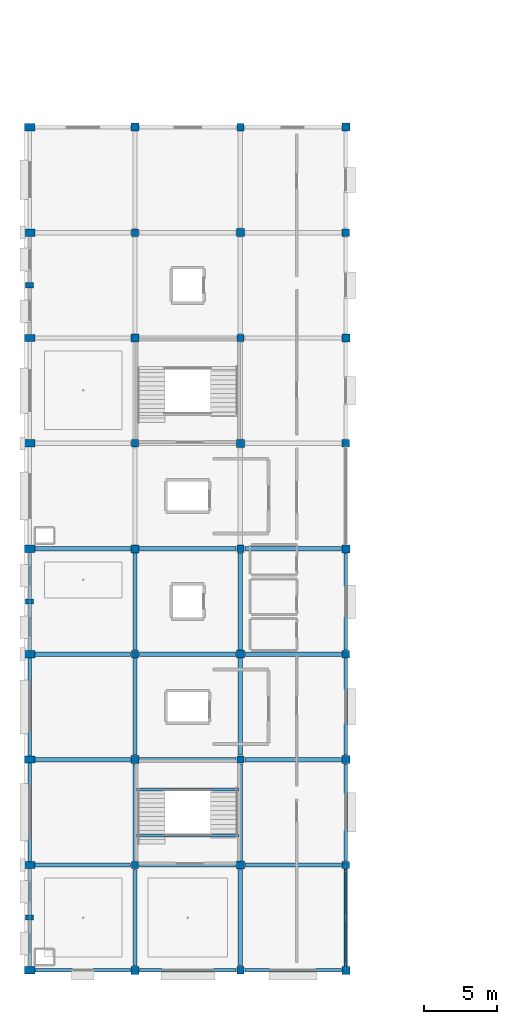
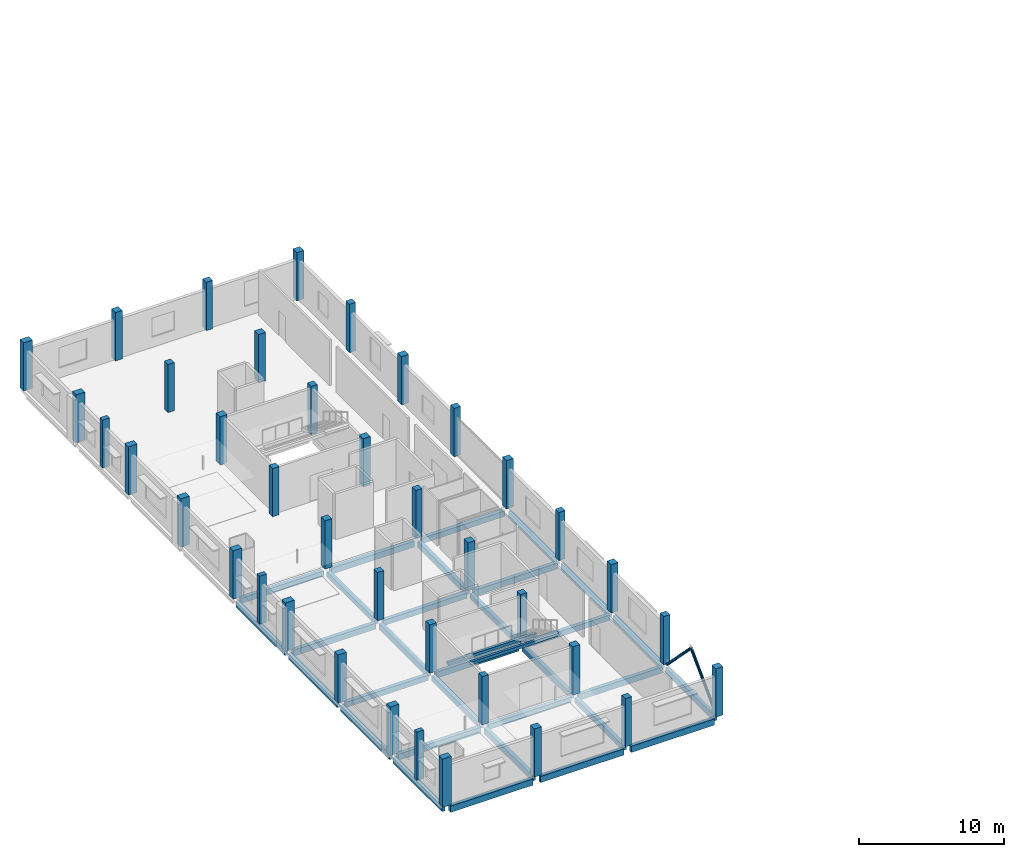
# One storey, part 1 of 15: 39 columns, 33 beams, 2 members.
"""IFC4 building model written with IfcOpenShell, lengths in metres."""

from ifc_helpers import new_model, si_unit, direction, frame, origin, origin_2d, place, context, subcontext, project, spatial, rectangle, hollow_circle, extrude, material, material_profile, profile_set, type_object, element, save


model = new_model("IFC4")

# Units and contexts
model_context = context("Model", 3, precision=1e-05, world=origin(), true_north=direction((0.0, 1.0)))
body_context = subcontext(model_context, "Body", "Model", "MODEL_VIEW")
ifc_project = project(units=[si_unit("LENGTHUNIT", "METRE"), si_unit("AREAUNIT", "SQUARE_METRE"), si_unit("VOLUMEUNIT", "CUBIC_METRE"), si_unit("PLANEANGLEUNIT", "RADIAN"), si_unit("MASSUNIT", "GRAM", prefix="KILO")], contexts=[model_context])

# Site, building, storey
site_placement = place(None, origin())
site = spatial("IfcSite", under=ifc_project, at=site_placement, CompositionType="ELEMENT")
building_placement = place(site_placement, origin())
building = spatial("IfcBuilding", under=site, at=building_placement, Name="Kangsadwip Square Police Headquarters", CompositionType="ELEMENT")
storey_placement = place(building_placement, frame((0.0, 0.0, 29.699951171875)))
storey = spatial("IfcBuildingStorey", under=building, at=storey_placement, Name="L07", CompositionType="ELEMENT", Elevation=29.699951171875)

# Columns
ifc_material_1 = material(Name="Concrete M35 (35 MPa)", Category="concrete")
ifc_material_profile_1 = material_profile(ifc_material_1, rectangle(XDim=0.5, YDim=0.5, at=origin_2d()), Name="RC COL 500X500")
ifc_profile_set_1 = profile_set([ifc_material_profile_1], Name="Concrete M35 (35 MPa)")
column_type_1 = type_object("IfcColumnType", Name="RcCol500x500", PredefinedType="COLUMN", material=ifc_profile_set_1)
for number, where, z_axis, x_axis, name in (
    (1, (7.199951171875, 43.199951171875, 0.0), (0.0, 0.0, 1.0), (1.0, 0.0, 0.0), "Column COL-L07-01-06"),
    (2, (7.199951171875, 57.60009765625, 0.0), (0.0, 0.0, 1.0), (1.0, 0.0, 0.0), "Column COL-L07-01-08"),
    (3, (7.199951171875, 72.0, 0.0), (0.0, 0.0, 1.0), (1.0, 0.0, 0.0), "Column COL-L07-01-10"),
    (4, (7.199951171875, 86.39990234375, 0.0), (0.0, 0.0, 1.0), (1.0, 0.0, 0.0), "Column COL-L07-01-12"),
    (5, (14.39990234375, 36.0, 0.0), (0.0, 0.0, 1.0), (1.0, 0.0, 0.0), "Column COL-L07-02-05"),
    (6, (14.39990234375, 50.39990234375, 0.0), (0.0, 0.0, 1.0), (1.0, 0.0, 0.0), "Column COL-L07-02-07"),
    (7, (14.39990234375, 64.800048828125, 0.0), (0.0, 0.0, 1.0), (1.0, 0.0, 0.0), "Column COL-L07-02-09"),
    (8, (14.39990234375, 79.199951171875, 0.0), (0.0, 0.0, 1.0), (1.0, 0.0, 0.0), "Column COL-L07-02-11"),
    (9, (14.39990234375, 93.60009765625, 0.0), (0.0, 0.0, 1.0), (1.0, 0.0, 0.0), "Column COL-L07-02-13"),
    (10, (21.60009765625, 43.199951171875, 0.0), (0.0, 0.0, 1.0), (1.0, 0.0, 0.0), "Column COL-L07-03-06"),
    (11, (21.60009765625, 57.60009765625, 0.0), (0.0, 0.0, 1.0), (1.0, 0.0, 0.0), "Column COL-L07-03-08"),
    (12, (21.60009765625, 72.0, 0.0), (0.0, 0.0, 1.0), (1.0, 0.0, 0.0), "Column COL-L07-03-10"),
    (13, (21.60009765625, 86.39990234375, 0.0), (0.0, 0.0, 1.0), (1.0, 0.0, 0.0), "Column COL-L07-03-12"),
):
    element("IfcColumn", number, at=place(storey_placement, frame(where, z_axis=z_axis, x_axis=x_axis)), inside=storey, type_object=column_type_1, Name=name, PredefinedType="COLUMN", context=body_context, shape_type="SweptSolid", body=[
        extrude(rectangle(XDim=0.5, YDim=0.5, at=origin_2d()), origin(), (0.0, 0.0, 1.0), 4.050048828125),
    ])
ifc_material_2 = material(Name="Concrete M35 (35 MPa)", Category="concrete")
ifc_material_profile_2 = material_profile(ifc_material_2, rectangle(XDim=0.550048828125, YDim=0.550048828125, at=origin_2d()), Name="RC COL 550X550")
ifc_profile_set_2 = profile_set([ifc_material_profile_2], Name="Concrete M35 (35 MPa)")
column_type_2 = type_object("IfcColumnType", Name="RcCol550x550", PredefinedType="COLUMN", material=ifc_profile_set_2)
for number, where, z_axis, x_axis, name in (
    (14, (7.199951171875, 36.0, 0.0), (0.0, 0.0, 1.0), (1.0, 0.0, 0.0), "Column COL-L07-01-05"),
    (15, (7.199951171875, 50.39990234375, 0.0), (0.0, 0.0, 1.0), (1.0, 0.0, 0.0), "Column COL-L07-01-07"),
    (16, (7.199951171875, 64.800048828125, 0.0), (0.0, 0.0, 1.0), (1.0, 0.0, 0.0), "Column COL-L07-01-09"),
    (17, (7.199951171875, 79.199951171875, 0.0), (0.0, 0.0, 1.0), (1.0, 0.0, 0.0), "Column COL-L07-01-11"),
    (18, (7.199951171875, 93.60009765625, 0.0), (0.0, 0.0, 1.0), (1.0, 0.0, 0.0), "Column COL-L07-01-13"),
    (19, (14.39990234375, 43.199951171875, 0.0), (0.0, 0.0, 1.0), (1.0, 0.0, 0.0), "Column COL-L07-02-06"),
    (20, (14.39990234375, 57.60009765625, 0.0), (0.0, 0.0, 1.0), (1.0, 0.0, 0.0), "Column COL-L07-02-08"),
    (21, (14.39990234375, 72.0, 0.0), (0.0, 0.0, 1.0), (1.0, 0.0, 0.0), "Column COL-L07-02-10"),
    (22, (14.39990234375, 86.39990234375, 0.0), (0.0, 0.0, 1.0), (1.0, 0.0, 0.0), "Column COL-L07-02-12"),
    (23, (21.60009765625, 36.0, 0.0), (0.0, 0.0, 1.0), (1.0, 0.0, 0.0), "Column COL-L07-03-05"),
    (24, (21.60009765625, 50.39990234375, 0.0), (0.0, 0.0, 1.0), (1.0, 0.0, 0.0), "Column COL-L07-03-07"),
    (25, (21.60009765625, 64.800048828125, 0.0), (0.0, 0.0, 1.0), (1.0, 0.0, 0.0), "Column COL-L07-03-09"),
    (26, (21.60009765625, 79.199951171875, 0.0), (0.0, 0.0, 1.0), (1.0, 0.0, 0.0), "Column COL-L07-03-11"),
    (27, (21.60009765625, 93.60009765625, 0.0), (0.0, 0.0, 1.0), (1.0, 0.0, 0.0), "Column COL-L07-03-13"),
):
    element("IfcColumn", number, at=place(storey_placement, frame(where, z_axis=z_axis, x_axis=x_axis)), inside=storey, type_object=column_type_2, Name=name, PredefinedType="COLUMN", context=body_context, shape_type="SweptSolid", body=[
        extrude(rectangle(XDim=0.550048828125, YDim=0.550048828125, at=origin_2d()), origin(), (0.0, 0.0, 1.0), 4.050048828125),
    ])
ifc_material_3 = material(Name="Concrete M35 (35 MPa)", Category="concrete")
ifc_material_profile_3 = material_profile(ifc_material_3, rectangle(XDim=0.5, YDim=0.699951171875, at=origin_2d()), Name="RC COL 700X500")
ifc_profile_set_3 = profile_set([ifc_material_profile_3], Name="Concrete M35 (35 MPa)")
column_type_3 = type_object("IfcColumnType", Name="RcCol700x500", PredefinedType="COLUMN", material=ifc_profile_set_3)
for number, where, z_axis, x_axis, name in (
    (28, (0.0, 36.0, 0.0), (0.0, 0.0, 1.0), (0.0, 1.0, 0.0), "Column COL-L07-00-05"),
    (29, (0.0, 43.199951171875, 0.0), (0.0, 0.0, 1.0), (0.0, 1.0, 0.0), "Column COL-L07-00-06"),
    (30, (0.0, 50.39990234375, 0.0), (0.0, 0.0, 1.0), (0.0, 1.0, 0.0), "Column COL-L07-00-07"),
    (31, (0.0, 57.60009765625, 0.0), (0.0, 0.0, 1.0), (0.0, 1.0, 0.0), "Column COL-L07-00-08"),
    (32, (0.0, 64.800048828125, 0.0), (0.0, 0.0, 1.0), (0.0, 1.0, 0.0), "Column COL-L07-00-09"),
    (33, (0.0, 72.0, 0.0), (0.0, 0.0, 1.0), (0.0, 1.0, 0.0), "Column COL-L07-00-10"),
    (34, (0.0, 79.199951171875, 0.0), (0.0, 0.0, 1.0), (0.0, 1.0, 0.0), "Column COL-L07-00-11"),
    (35, (0.0, 86.39990234375, 0.0), (0.0, 0.0, 1.0), (0.0, 1.0, 0.0), "Column COL-L07-00-12"),
    (36, (0.0, 93.60009765625, 0.0), (0.0, 0.0, 1.0), (0.0, 1.0, 0.0), "Column COL-L07-00-13"),
):
    element("IfcColumn", number, at=place(storey_placement, frame(where, z_axis=z_axis, x_axis=x_axis)), inside=storey, type_object=column_type_3, Name=name, PredefinedType="COLUMN", context=body_context, shape_type="SweptSolid", body=[
        extrude(rectangle(XDim=0.5, YDim=0.699951171875, at=origin_2d()), origin(), (0.0, 0.0, 1.0), 4.050048828125),
    ])
ifc_material_4 = material(Name="Concrete M35 (35 MPa)", Category="concrete")
ifc_material_profile_4 = material_profile(ifc_material_4, rectangle(XDim=0.35009765625, YDim=0.550048828125, at=origin_2d()), Name="RC PIL 550X350")
ifc_profile_set_4 = profile_set([ifc_material_profile_4], Name="Concrete M35 (35 MPa)")
column_type_4 = type_object("IfcColumnType", Name="RcPil550x350", PredefinedType="PILASTER", material=ifc_profile_set_4)
for number, where, z_axis, x_axis, name in (
    (37, (0.0, 39.60009765625, 0.0), (0.0, 0.0, 1.0), (0.0, 1.0, 0.0), "Colonnade Pilaster PIL-L07-009"),
    (38, (0.0, 61.199951171875, 0.0), (0.0, 0.0, 1.0), (0.0, 1.0, 0.0), "Colonnade Pilaster PIL-L07-018"),
    (39, (0.0, 82.800048828125, 0.0), (0.0, 0.0, 1.0), (0.0, 1.0, 0.0), "Colonnade Pilaster PIL-L07-027"),
):
    element("IfcColumn", number, at=place(storey_placement, frame(where, z_axis=z_axis, x_axis=x_axis)), inside=storey, type_object=column_type_4, Name=name, PredefinedType="PILASTER", context=body_context, shape_type="SweptSolid", body=[
        extrude(rectangle(XDim=0.35009765625, YDim=0.550048828125, at=origin_2d()), origin(), (0.0, 0.0, 1.0), 4.050048828125),
    ])

# Beams
ifc_material_5 = material(Name="Concrete M35 (35 MPa)", Category="concrete")
ifc_material_profile_5 = material_profile(ifc_material_5, rectangle(XDim=0.300048828125, YDim=0.449951171875, at=origin_2d()), Name="RC BM 450X300")
ifc_profile_set_5 = profile_set([ifc_material_profile_5], Name="Concrete M35 (35 MPa)")
beam_type_1 = type_object("IfcBeamType", Name="RcBeam450x300", PredefinedType="BEAM", material=ifc_profile_set_5)
beam_1_placement = place(storey_placement, frame((7.5, 43.199951171875, -0.445068359375), z_axis=(1.0, 0.0, 0.0), x_axis=(0.0, 1.0, 0.0)))
element("IfcBeam", 40, at=beam_1_placement, inside=storey, type_object=beam_type_1, Name="Beam BM-L07-X-01-06", PredefinedType="BEAM", context=body_context, shape_type="SweptSolid", body=[
    extrude(rectangle(XDim=0.300048828125, YDim=0.449951171875, at=origin_2d()), origin(), (0.0, 0.0, 1.0), 6.60009765625),
])
beam_2_placement = place(storey_placement, frame((0.35009765625, 50.39990234375, -0.445068359375), z_axis=(1.0, 0.0, 0.0), x_axis=(0.0, 1.0, 0.0)))
element("IfcBeam", 41, at=beam_2_placement, inside=storey, type_object=beam_type_1, Name="Beam BM-L07-X-00-07", PredefinedType="BEAM", context=body_context, shape_type="SweptSolid", body=[
    extrude(rectangle(XDim=0.300048828125, YDim=0.449951171875, at=origin_2d()), origin(), (0.0, 0.0, 1.0), 6.5498046875),
])
for number, where, z_axis, x_axis, name in (
    (42, (14.699951171875, 50.39990234375, -0.445068359375), (1.0, 0.0, 0.0), (0.0, 1.0, 0.0), "Beam BM-L07-X-02-07"),
    (43, (7.5, 57.60009765625, -0.445068359375), (1.0, 0.0, 0.0), (0.0, 1.0, 0.0), "Beam BM-L07-X-01-08"),
):
    element("IfcBeam", number, at=place(storey_placement, frame(where, z_axis=z_axis, x_axis=x_axis)), inside=storey, type_object=beam_type_1, Name=name, PredefinedType="BEAM", context=body_context, shape_type="SweptSolid", body=[
        extrude(rectangle(XDim=0.300048828125, YDim=0.449951171875, at=origin_2d()), origin(), (0.0, 0.0, 1.0), 6.60009765625),
    ])
beam_3_placement = place(storey_placement, frame((0.35009765625, 64.800048828125, -0.445068359375), z_axis=(1.0, 0.0, 0.0), x_axis=(0.0, 1.0, 0.0)))
element("IfcBeam", 44, at=beam_3_placement, inside=storey, type_object=beam_type_1, Name="Beam BM-L07-X-00-09", PredefinedType="BEAM", context=body_context, shape_type="SweptSolid", body=[
    extrude(rectangle(XDim=0.300048828125, YDim=0.449951171875, at=origin_2d()), origin(), (0.0, 0.0, 1.0), 6.5498046875),
])
for number, where, z_axis, x_axis, name in (
    (45, (14.699951171875, 64.800048828125, -0.445068359375), (1.0, 0.0, 0.0), (0.0, 1.0, 0.0), "Beam BM-L07-X-02-09"),
    (46, (7.199951171875, 43.5, -0.445068359375), (0.0, 1.0, 0.0), (-1.0, 0.0, 0.0), "Beam BM-L07-Y-01-06"),
    (47, (7.199951171875, 57.89990234375, -0.445068359375), (0.0, 1.0, 0.0), (-1.0, 0.0, 0.0), "Beam BM-L07-Y-01-08"),
):
    element("IfcBeam", number, at=place(storey_placement, frame(where, z_axis=z_axis, x_axis=x_axis)), inside=storey, type_object=beam_type_1, Name=name, PredefinedType="BEAM", context=body_context, shape_type="SweptSolid", body=[
        extrude(rectangle(XDim=0.300048828125, YDim=0.449951171875, at=origin_2d()), origin(), (0.0, 0.0, 1.0), 6.60009765625),
    ])
beam_4_placement = place(storey_placement, frame((14.39990234375, 36.300048828125, -0.445068359375), z_axis=(0.0, 1.0, 0.0), x_axis=(-1.0, 0.0, 0.0)))
element("IfcBeam", 48, at=beam_4_placement, inside=storey, type_object=beam_type_1, Name="Beam BM-L07-Y-02-05", PredefinedType="BEAM", context=body_context, shape_type="SweptSolid", body=[
    extrude(rectangle(XDim=0.300048828125, YDim=0.449951171875, at=origin_2d()), origin(), (0.0, 0.0, 1.0), 6.599853515625),
])
beam_5_placement = place(storey_placement, frame((14.39990234375, 50.699951171875, -0.445068359375), z_axis=(0.0, 1.0, 0.0), x_axis=(-1.0, 0.0, 0.0)))
element("IfcBeam", 49, at=beam_5_placement, inside=storey, type_object=beam_type_1, Name="Beam BM-L07-Y-02-07", PredefinedType="BEAM", context=body_context, shape_type="SweptSolid", body=[
    extrude(rectangle(XDim=0.300048828125, YDim=0.449951171875, at=origin_2d()), origin(), (0.0, 0.0, 1.0), 6.60009765625),
])
ifc_material_6 = material(Name="Concrete M35 (35 MPa)", Category="concrete")
ifc_material_profile_6 = material_profile(ifc_material_6, rectangle(XDim=0.300048828125, YDim=0.5, at=origin_2d()), Name="RC BM 500X300")
ifc_profile_set_6 = profile_set([ifc_material_profile_6], Name="Concrete M35 (35 MPa)")
beam_type_2 = type_object("IfcBeamType", Name="RcBeam500x300", PredefinedType="BEAM", material=ifc_profile_set_6)
beam_6_placement = place(storey_placement, frame((0.35009765625, 43.199951171875, -0.469970703125), z_axis=(1.0, 0.0, 0.0), x_axis=(0.0, 1.0, 0.0)))
element("IfcBeam", 50, at=beam_6_placement, inside=storey, type_object=beam_type_2, Name="Beam BM-L07-X-00-06", PredefinedType="BEAM", context=body_context, shape_type="SweptSolid", body=[
    extrude(rectangle(XDim=0.300048828125, YDim=0.5, at=origin_2d()), origin(), (0.0, 0.0, 1.0), 6.5498046875),
])
for number, where, z_axis, x_axis, name in (
    (51, (14.699951171875, 43.199951171875, -0.469970703125), (1.0, 0.0, 0.0), (0.0, 1.0, 0.0), "Beam BM-L07-X-02-06"),
    (52, (7.5, 50.39990234375, -0.469970703125), (1.0, 0.0, 0.0), (0.0, 1.0, 0.0), "Beam BM-L07-X-01-07"),
):
    element("IfcBeam", number, at=place(storey_placement, frame(where, z_axis=z_axis, x_axis=x_axis)), inside=storey, type_object=beam_type_2, Name=name, PredefinedType="BEAM", context=body_context, shape_type="SweptSolid", body=[
        extrude(rectangle(XDim=0.300048828125, YDim=0.5, at=origin_2d()), origin(), (0.0, 0.0, 1.0), 6.60009765625),
    ])
beam_7_placement = place(storey_placement, frame((0.35009765625, 57.60009765625, -0.469970703125), z_axis=(1.0, 0.0, 0.0), x_axis=(0.0, 1.0, 0.0)))
element("IfcBeam", 53, at=beam_7_placement, inside=storey, type_object=beam_type_2, Name="Beam BM-L07-X-00-08", PredefinedType="BEAM", context=body_context, shape_type="SweptSolid", body=[
    extrude(rectangle(XDim=0.300048828125, YDim=0.5, at=origin_2d()), origin(), (0.0, 0.0, 1.0), 6.5498046875),
])
for number, where, z_axis, x_axis, name in (
    (54, (14.699951171875, 57.60009765625, -0.469970703125), (1.0, 0.0, 0.0), (0.0, 1.0, 0.0), "Beam BM-L07-X-02-08"),
    (55, (7.5, 64.800048828125, -0.469970703125), (1.0, 0.0, 0.0), (0.0, 1.0, 0.0), "Beam BM-L07-X-01-09"),
):
    element("IfcBeam", number, at=place(storey_placement, frame(where, z_axis=z_axis, x_axis=x_axis)), inside=storey, type_object=beam_type_2, Name=name, PredefinedType="BEAM", context=body_context, shape_type="SweptSolid", body=[
        extrude(rectangle(XDim=0.300048828125, YDim=0.5, at=origin_2d()), origin(), (0.0, 0.0, 1.0), 6.60009765625),
    ])
beam_8_placement = place(storey_placement, frame((7.199951171875, 36.300048828125, -0.469970703125), z_axis=(0.0, 1.0, 0.0), x_axis=(-1.0, 0.0, 0.0)))
element("IfcBeam", 56, at=beam_8_placement, inside=storey, type_object=beam_type_2, Name="Beam BM-L07-Y-01-05", PredefinedType="BEAM", context=body_context, shape_type="SweptSolid", body=[
    extrude(rectangle(XDim=0.300048828125, YDim=0.5, at=origin_2d()), origin(), (0.0, 0.0, 1.0), 6.599853515625),
])
for number, where, z_axis, x_axis, name in (
    (57, (7.199951171875, 50.699951171875, -0.469970703125), (0.0, 1.0, 0.0), (-1.0, 0.0, 0.0), "Beam BM-L07-Y-01-07"),
    (58, (14.39990234375, 43.5, -0.469970703125), (0.0, 1.0, 0.0), (-1.0, 0.0, 0.0), "Beam BM-L07-Y-02-06"),
    (59, (14.39990234375, 57.89990234375, -0.469970703125), (0.0, 1.0, 0.0), (-1.0, 0.0, 0.0), "Beam BM-L07-Y-02-08"),
):
    element("IfcBeam", number, at=place(storey_placement, frame(where, z_axis=z_axis, x_axis=x_axis)), inside=storey, type_object=beam_type_2, Name=name, PredefinedType="BEAM", context=body_context, shape_type="SweptSolid", body=[
        extrude(rectangle(XDim=0.300048828125, YDim=0.5, at=origin_2d()), origin(), (0.0, 0.0, 1.0), 6.60009765625),
    ])
ifc_material_7 = material(Name="Concrete M30 (30 MPa)", Category="concrete")
ifc_material_profile_7 = material_profile(ifc_material_7, rectangle(XDim=0.199951171875, YDim=0.25, at=origin_2d()), Name="RC LNT 250X200")
ifc_profile_set_7 = profile_set([ifc_material_profile_7], Name="Concrete M30 (30 MPa)")
beam_type_3 = type_object("IfcBeamType", Name="RcLintel250x200", PredefinedType="LINTEL", material=ifc_profile_set_7)
for number, where, z_axis, x_axis, name in (
    (60, (7.300048828125, 48.340087890625, 1.801025390625), (1.0, 0.0, 0.0), (0.0, 1.0, 0.0), "Stair Carriage and Landing Beam BM-ST-L07-018"),
    (61, (7.300048828125, 45.219970703125, 3.705078125), (1.0, 0.0, 0.0), (0.0, 1.0, 0.0), "Stair Carriage and Landing Beam BM-ST-L07-019"),
):
    element("IfcBeam", number, at=place(storey_placement, frame(where, z_axis=z_axis, x_axis=x_axis)), inside=storey, type_object=beam_type_3, Name=name, PredefinedType="BEAM", context=body_context, shape_type="SweptSolid", body=[
        extrude(rectangle(XDim=0.199951171875, YDim=0.25, at=origin_2d()), origin(), (0.0, 0.0, 1.0), 7.0),
    ])
ifc_material_8 = material(Name="Concrete M35 (35 MPa)", Category="concrete")
ifc_material_profile_8 = material_profile(ifc_material_8, rectangle(XDim=0.25, YDim=0.52001953125, at=origin_2d()), Name="RC SPN 520X250")
ifc_profile_set_8 = profile_set([ifc_material_profile_8], Name="Concrete M35 (35 MPa)")
beam_type_4 = type_object("IfcBeamType", Name="RcSpandrel520x250", PredefinedType="SPANDREL", material=ifc_profile_set_8)
beam_9_placement = place(storey_placement, frame((0.35009765625, 36.0, -0.47998046875), z_axis=(1.0, 0.0, 0.0), x_axis=(0.0, 1.0, 0.0)))
element("IfcBeam", 62, at=beam_9_placement, inside=storey, type_object=beam_type_4, Name="Beam BM-L07-X-00-05", PredefinedType="SPANDREL", context=body_context, shape_type="SweptSolid", body=[
    extrude(rectangle(XDim=0.25, YDim=0.52001953125, at=origin_2d()), origin(), (0.0, 0.0, 1.0), 6.5498046875),
])
for number, where, z_axis, x_axis, name in (
    (63, (7.5, 36.0, -0.47998046875), (1.0, 0.0, 0.0), (0.0, 1.0, 0.0), "Beam BM-L07-X-01-05"),
    (64, (14.699951171875, 36.0, -0.47998046875), (1.0, 0.0, 0.0), (0.0, 1.0, 0.0), "Beam BM-L07-X-02-05"),
):
    element("IfcBeam", number, at=place(storey_placement, frame(where, z_axis=z_axis, x_axis=x_axis)), inside=storey, type_object=beam_type_4, Name=name, PredefinedType="SPANDREL", context=body_context, shape_type="SweptSolid", body=[
        extrude(rectangle(XDim=0.25, YDim=0.52001953125, at=origin_2d()), origin(), (0.0, 0.0, 1.0), 6.60009765625),
    ])
for number, where, z_axis, x_axis, name in (
    (65, (0.0, 36.25, -0.47998046875), (0.0, 1.0, 0.0), (-1.0, 0.0, 0.0), "Beam BM-L07-Y-00-05"),
    (66, (0.0, 43.449951171875, -0.47998046875), (0.0, 1.0, 0.0), (-1.0, 0.0, 0.0), "Beam BM-L07-Y-00-06"),
):
    element("IfcBeam", number, at=place(storey_placement, frame(where, z_axis=z_axis, x_axis=x_axis)), inside=storey, type_object=beam_type_4, Name=name, PredefinedType="SPANDREL", context=body_context, shape_type="SweptSolid", body=[
        extrude(rectangle(XDim=0.25, YDim=0.52001953125, at=origin_2d()), origin(), (0.0, 0.0, 1.0), 6.699951171875),
    ])
beam_10_placement = place(storey_placement, frame((0.0, 50.64990234375, -0.47998046875), z_axis=(0.0, 1.0, 0.0), x_axis=(-1.0, 0.0, 0.0)))
element("IfcBeam", 67, at=beam_10_placement, inside=storey, type_object=beam_type_4, Name="Beam BM-L07-Y-00-07", PredefinedType="SPANDREL", context=body_context, shape_type="SweptSolid", body=[
    extrude(rectangle(XDim=0.25, YDim=0.52001953125, at=origin_2d()), origin(), (0.0, 0.0, 1.0), 6.7001953125),
])
beam_11_placement = place(storey_placement, frame((0.0, 57.85009765625, -0.47998046875), z_axis=(0.0, 1.0, 0.0), x_axis=(-1.0, 0.0, 0.0)))
element("IfcBeam", 68, at=beam_11_placement, inside=storey, type_object=beam_type_4, Name="Beam BM-L07-Y-00-08", PredefinedType="SPANDREL", context=body_context, shape_type="SweptSolid", body=[
    extrude(rectangle(XDim=0.25, YDim=0.52001953125, at=origin_2d()), origin(), (0.0, 0.0, 1.0), 6.699951171875),
])
beam_12_placement = place(storey_placement, frame((21.60009765625, 36.300048828125, -0.47998046875), z_axis=(0.0, 1.0, 0.0), x_axis=(-1.0, 0.0, 0.0)))
element("IfcBeam", 69, at=beam_12_placement, inside=storey, type_object=beam_type_4, Name="Beam BM-L07-Y-03-05", PredefinedType="SPANDREL", context=body_context, shape_type="SweptSolid", body=[
    extrude(rectangle(XDim=0.25, YDim=0.52001953125, at=origin_2d()), origin(), (0.0, 0.0, 1.0), 6.599853515625),
])
for number, where, z_axis, x_axis, name in (
    (70, (21.60009765625, 43.5, -0.47998046875), (0.0, 1.0, 0.0), (-1.0, 0.0, 0.0), "Beam BM-L07-Y-03-06"),
    (71, (21.60009765625, 50.699951171875, -0.47998046875), (0.0, 1.0, 0.0), (-1.0, 0.0, 0.0), "Beam BM-L07-Y-03-07"),
    (72, (21.60009765625, 57.89990234375, -0.47998046875), (0.0, 1.0, 0.0), (-1.0, 0.0, 0.0), "Beam BM-L07-Y-03-08"),
):
    element("IfcBeam", number, at=place(storey_placement, frame(where, z_axis=z_axis, x_axis=x_axis)), inside=storey, type_object=beam_type_4, Name=name, PredefinedType="SPANDREL", context=body_context, shape_type="SweptSolid", body=[
        extrude(rectangle(XDim=0.25, YDim=0.52001953125, at=origin_2d()), origin(), (0.0, 0.0, 1.0), 6.60009765625),
    ])

# Members
ifc_material_9 = material(Name="Structural steel IS 2062 E350 (Grade 350, 350 MPa)", Category="steel")
ifc_material_profile_9 = material_profile(ifc_material_9, hollow_circle(Radius=0.109619140625, WallThickness=0.010009765625, at=origin_2d()), Name="CHS 219X10")
ifc_profile_set_9 = profile_set([ifc_material_profile_9], Name="Structural steel IS 2062 E350 (Grade 350, 350 MPa)")
member_type = type_object("IfcMemberType", Name="TrussBraceChs219", PredefinedType="BRACE", material=ifc_profile_set_9)
for number, where, z_axis, x_axis, name in (
    (73, (21.60009765625, 36.300048828125, 0.0), (0.0, 0.701765240277, 0.71240827307), (-1.0, 0.0, 0.0), "Truss Member MEM-L07-0284"),
    (74, (21.60009765625, 42.89990234375, 0.0), (0.0, -0.701738889515, 0.712434229204), (1.0, 0.0, 0.0), "Truss Member MEM-L07-0285"),
):
    element("IfcMember", number, at=place(storey_placement, frame(where, z_axis=z_axis, x_axis=x_axis)), inside=storey, type_object=member_type, Name=name, PredefinedType="BRACE", context=body_context, shape_type="SweptSolid", body=[
        extrude(hollow_circle(Radius=0.109619140625, WallThickness=0.010009765625, at=origin_2d()), origin(), (0.0, 0.0, 1.0), 4.702392578125),
    ])

save(model, "model.ifc")
